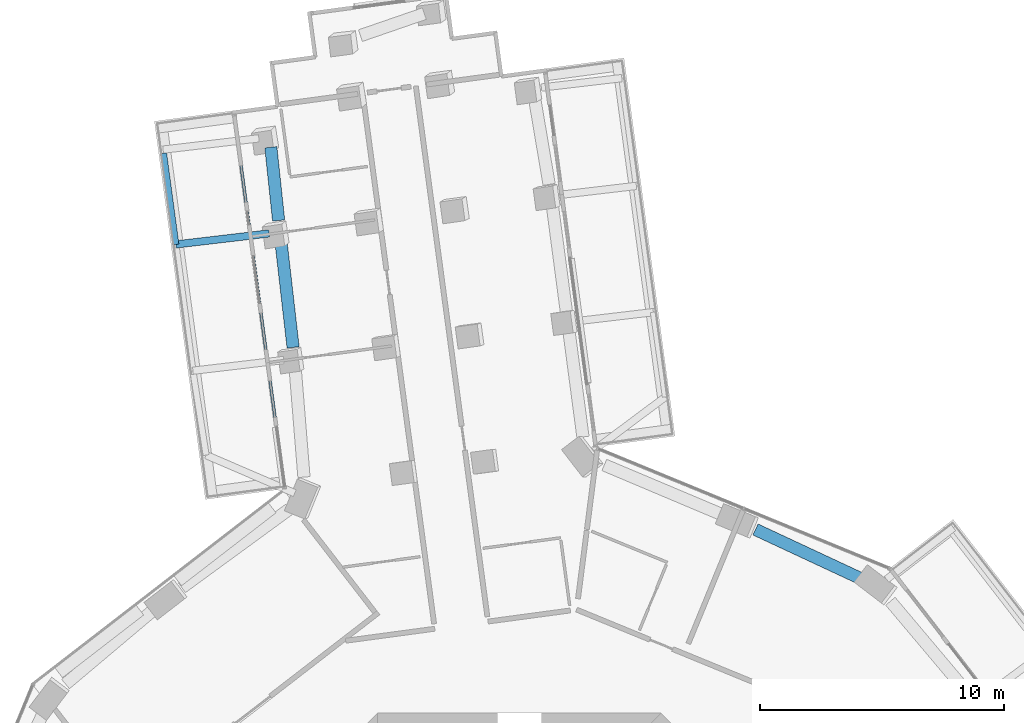
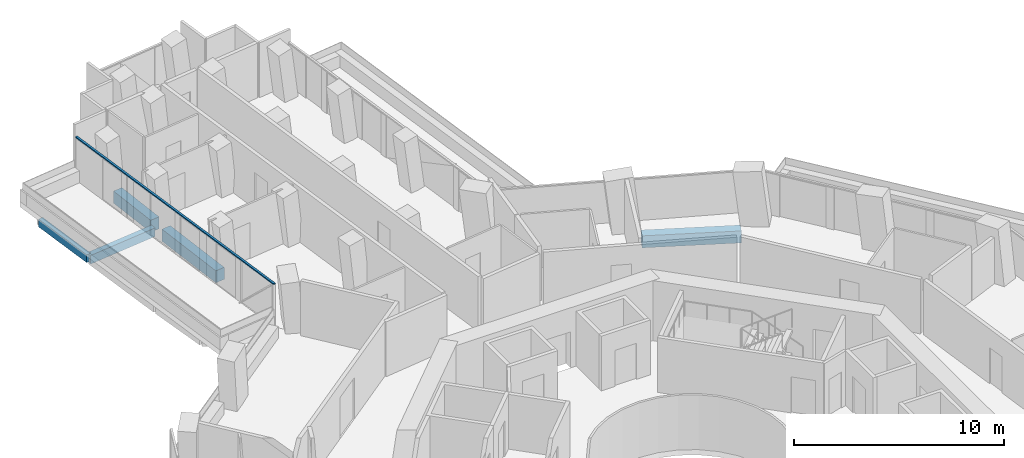
# One storey, part 8 of 27: 5 beams, 1 member, 1 element without a shape of its own.
"""IFC4 building model written with IfcOpenShell, lengths in metres."""

from ifc_helpers import new_model, si_unit, direction, frame, origin, origin_2d, place, context, subcontext, project, spatial, rectangle, extrude, material, layer, layer_set, material_profile, profile_set, type_object, element, aggregate, save


model = new_model("IFC4")

# Units and contexts
model_context = context("Model", 3, precision=1e-05, world=origin(), true_north=direction((0.0, 1.0)))
body_context = subcontext(model_context, "Body", "Model", "MODEL_VIEW")
ifc_project = project(units=[si_unit("LENGTHUNIT", "METRE"), si_unit("AREAUNIT", "SQUARE_METRE"), si_unit("VOLUMEUNIT", "CUBIC_METRE"), si_unit("PLANEANGLEUNIT", "RADIAN"), si_unit("MASSUNIT", "GRAM", prefix="KILO")], contexts=[model_context])

# Site, building, storey
site_placement = place(None, origin())
site = spatial("IfcSite", under=ifc_project, at=site_placement, CompositionType="ELEMENT")
building_placement = place(site_placement, origin())
building = spatial("IfcBuilding", under=site, at=building_placement, Name="Verdalira Terraces Hotel", CompositionType="ELEMENT")
storey_placement = place(building_placement, frame((0.0, 0.0, 64.5)))
storey = spatial("IfcBuildingStorey", under=building, at=storey_placement, Name="L14", CompositionType="ELEMENT", Elevation=64.5)

# Beams
ifc_material_1 = material(Name="Concrete C40", Category="concrete")
ifc_material_profile_1 = material_profile(ifc_material_1, rectangle(XDim=0.300049, YDim=0.5, at=origin_2d()), Name="RC 300X500")
ifc_profile_set_1 = profile_set([ifc_material_profile_1], Name="Concrete C40")
beam_type_1 = type_object("IfcBeamType", Name="Balcony cantilever beam RC 300X500 C40", PredefinedType="BEAM", material=ifc_profile_set_1)
beam_1_placement = place(storey_placement, frame((-10.246094, 33.633057, -0.560059), z_axis=(-0.993130198, -0.117014572, 0.0), x_axis=(0.117014572, -0.993130198, 0.0)))
element("IfcBeam", 1, at=beam_1_placement, inside=storey, type_object=beam_type_1, Name="Balcony cantilever beam R10-2", PredefinedType="BEAM", context=body_context, shape_type="SweptSolid", body=[
    extrude(rectangle(XDim=0.300049, YDim=0.5, at=origin_2d()), origin(), (0.0, 0.0, 1.0), 3.841064),
])
ifc_material_2 = material(Name="Concrete C40", Category="concrete")
ifc_material_profile_2 = material_profile(ifc_material_2, rectangle(XDim=0.25, YDim=0.449951, at=origin_2d()), Name="RC 250X450")
ifc_profile_set_2 = profile_set([ifc_material_profile_2], Name="Concrete C40")
beam_type_2 = type_object("IfcBeamType", Name="Balcony edge beam RC 250X450 C40", PredefinedType="BEAM", material=ifc_profile_set_2)
beam_2_placement = place(storey_placement, frame((-14.564209, 36.91626, -0.534912), z_axis=(0.133658101, -0.991027503, 0.0), x_axis=(0.991027503, 0.133658101, 0.0)))
element("IfcBeam", 2, at=beam_2_placement, inside=storey, type_object=beam_type_2, Name="Balcony edge beam R10-1", PredefinedType="BEAM", context=body_context, shape_type="SweptSolid", body=[
    extrude(rectangle(XDim=0.25, YDim=0.449951, at=origin_2d()), origin(), (0.0, 0.0, 1.0), 3.766357),
])

# Curtain wall, member
ifc_material_3 = material(Name="Clear glass", Category="glass")
ifc_layer = layer(ifc_material_3, 0.14990234375)
ifc_layer_set = layer_set([ifc_layer], Name="CW2 curtain wall")
curtain_wall_type = type_object("IfcCurtainWallType", Name="CW2 curtain wall", PredefinedType="NOTDEFINED", material=ifc_layer_set)
curtain_wall_placement = place(storey_placement, origin())
curtain_wall = element("IfcCurtainWall", 3, at=curtain_wall_placement, inside=storey, type_object=curtain_wall_type, Name="CW2 curtain wall L14 edge 10", PredefinedType="NOTDEFINED")
ifc_material_4 = material(Name="Terracotta frame", Category="masonry")
ifc_material_profile_3 = material_profile(ifc_material_4, rectangle(XDim=0.11499, YDim=0.064941, at=origin_2d()), Name="TR 65x115")
ifc_profile_set_3 = profile_set([ifc_material_profile_3], Name="Terracotta frame")
member_type = type_object("IfcMemberType", Name="CW2 transom 65x115", PredefinedType="USERDEFINED", material=ifc_profile_set_3)
member_placement = place(storey_placement, frame((-11.676758, 38.51416, 2.45752), z_axis=(0.133631392, -0.991031105, 0.0), x_axis=(0.991031105, 0.133631392, 0.0)))
member = element("IfcMember", 4, at=member_placement, type_object=member_type, Name="CW2 transom", ObjectType="TRANSOM", PredefinedType="USERDEFINED", context=body_context, shape_type="SweptSolid", body=[
    extrude(rectangle(XDim=0.11499, YDim=0.064941, at=origin_2d()), origin(), (0.0, 0.0, 1.0), 15.470703),
])
aggregate(curtain_wall, [member])

# Beams
ifc_material_5 = material(Name="Concrete C70", Category="concrete")
ifc_material_profile_4 = material_profile(ifc_material_5, rectangle(XDim=0.5, YDim=0.699951, at=origin_2d()), Name="RC 500X700")
ifc_profile_set_4 = profile_set([ifc_material_profile_4], Name="Concrete C70")
beam_type_3 = type_object("IfcBeamType", Name="Spandrel beam RC 500X700 C70", PredefinedType="SPANDREL", material=ifc_profile_set_4)
beam_3_placement = place(storey_placement, frame((-10.174561, 37.161133, -0.659912), z_axis=(0.105881425, -0.994378763, 0.0), x_axis=(0.994378763, 0.105881425, 0.0)))
element("IfcBeam", 5, at=beam_3_placement, inside=storey, type_object=beam_type_3, Name="Spandrel beam B05", PredefinedType="SPANDREL", context=body_context, shape_type="SweptSolid", body=[
    extrude(rectangle(XDim=0.5, YDim=0.699951, at=origin_2d()), origin(), (0.0, 0.0, 1.0), 3.015869),
])
beam_4_placement = place(storey_placement, frame((-9.755615, 33.261963, -0.659912), z_axis=(0.11404521, -0.993475561, 0.0), x_axis=(0.993475561, 0.11404521, 0.0)))
element("IfcBeam", 6, at=beam_4_placement, inside=storey, type_object=beam_type_3, Name="Spandrel beam B06", PredefinedType="SPANDREL", context=body_context, shape_type="SweptSolid", body=[
    extrude(rectangle(XDim=0.5, YDim=0.699951, at=origin_2d()), origin(), (0.0, 0.0, 1.0), 4.322266),
])
beam_5_placement = place(storey_placement, frame((13.978027, 19.502197, -0.659912), z_axis=(-0.90611891, 0.423023073, 0.0), x_axis=(-0.423023073, -0.90611891, 0.0)))
element("IfcBeam", 7, at=beam_5_placement, inside=storey, type_object=beam_type_3, Name="Spandrel beam B34", PredefinedType="SPANDREL", context=body_context, shape_type="SweptSolid", body=[
    extrude(rectangle(XDim=0.5, YDim=0.699951, at=origin_2d()), origin(), (0.0, 0.0, 1.0), 4.759033),
])

save(model, "model.ifc")
